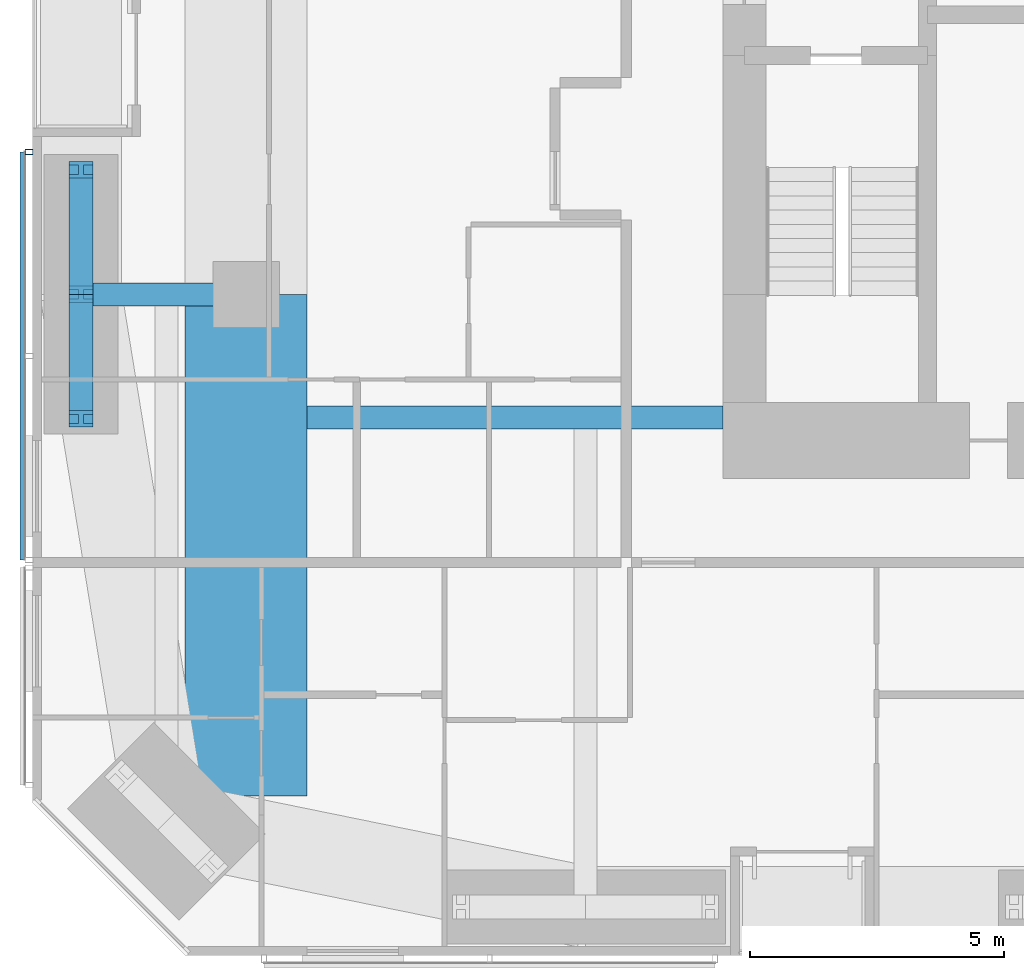
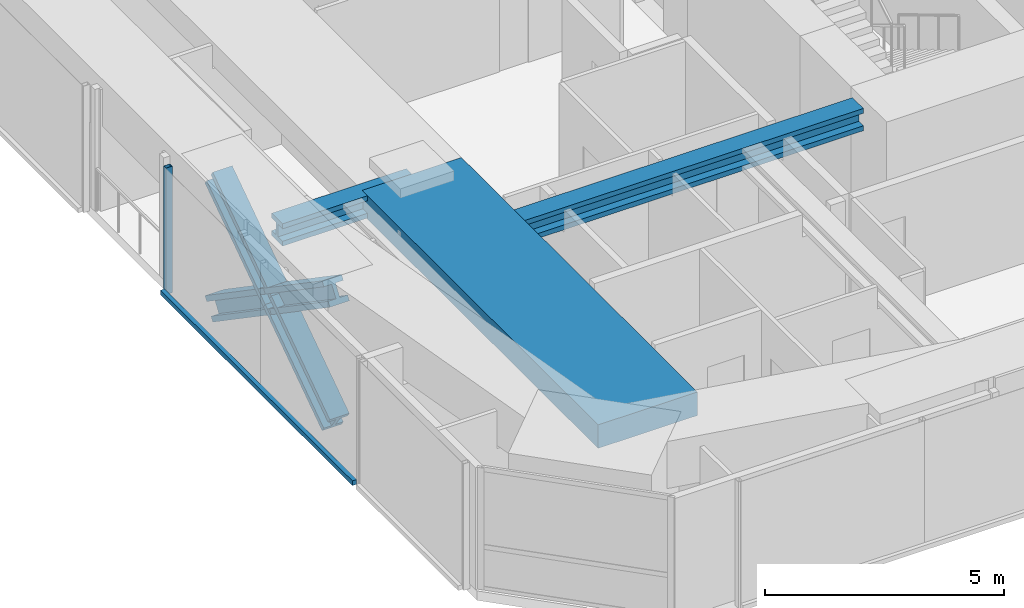
# One storey, part 3 of 23: 6 members, 3 beams, 1 element without a shape of its own.
"""IFC4 building model written with IfcOpenShell, lengths in metres."""

from ifc_helpers import new_model, si_unit, direction, frame, origin, origin_2d, place, context, subcontext, project, spatial, rectangle, hollow_rectangle, i_section, extrude, material, material_profile, profile_set, type_object, element, aggregate, save


model = new_model("IFC4")

# Units and contexts
model_context = context("Model", 3, precision=1e-05, world=origin(), true_north=direction((0.0, 1.0)))
body_context = subcontext(model_context, "Body", "Model", "MODEL_VIEW")
ifc_project = project(units=[si_unit("LENGTHUNIT", "METRE"), si_unit("AREAUNIT", "SQUARE_METRE"), si_unit("VOLUMEUNIT", "CUBIC_METRE"), si_unit("PLANEANGLEUNIT", "RADIAN"), si_unit("MASSUNIT", "GRAM", prefix="KILO")], contexts=[model_context])

# Site, building, storey
site_placement = place(None, origin())
site = spatial("IfcSite", under=ifc_project, at=site_placement, CompositionType="ELEMENT")
building_placement = place(site_placement, origin())
building = spatial("IfcBuilding", under=site, at=building_placement, Name="Jalousie Tower", CompositionType="ELEMENT")
storey_placement = place(building_placement, frame((0.0, 0.0, 108.199951171875)))
storey = spatial("IfcBuildingStorey", under=building, at=storey_placement, Name="L29", CompositionType="ELEMENT", Elevation=108.199951171875)

# Beams
ifc_material_1 = material(Name="Steel ASTM A992 Grade 50", Category="steel")
ifc_material_profile_1 = material_profile(ifc_material_1, i_section(OverallWidth=0.45458984375, OverallDepth=0.569091796875, WebThickness=0.077880859375, FlangeThickness=0.124755859375, at=origin_2d()), Name="W14X730")
ifc_profile_set_1 = profile_set([ifc_material_profile_1], Name="Steel ASTM A992 Grade 50")
beam_type_1 = type_object("IfcBeamType", Name="LEAN COLLECTOR W14X730", PredefinedType="BEAM", material=ifc_profile_set_1)
beam_1_placement = place(storey_placement, frame((6.949951171875, 13.0, 2.825439453125), z_axis=(1.0, 0.0, 0.0), x_axis=(0.0, 1.0, 0.0)))
element("IfcBeam", 1, at=beam_1_placement, inside=storey, type_object=beam_type_1, Name="Lean collector under L30", PredefinedType="BEAM", context=body_context, shape_type="SweptSolid", body=[
    extrude(i_section(OverallWidth=0.45458984375, OverallDepth=0.569091796875, WebThickness=0.077880859375, FlangeThickness=0.124755859375, at=origin_2d()), origin(), (0.0, 0.0, 1.0), 3.25),
])
beam_2_placement = place(storey_placement, frame((11.39990234375, 10.574951171875, 2.825439453125), z_axis=(1.0, 0.0, 0.0), x_axis=(0.0, 1.0, 0.0)))
element("IfcBeam", 2, at=beam_2_placement, inside=storey, type_object=beam_type_1, Name="Lean collector under L30", PredefinedType="BEAM", context=body_context, shape_type="SweptSolid", body=[
    extrude(i_section(OverallWidth=0.45458984375, OverallDepth=0.569091796875, WebThickness=0.077880859375, FlangeThickness=0.124755859375, at=origin_2d()), origin(), (0.0, 0.0, 1.0), 8.175048828125),
])

# Members
ifc_material_2 = material(Name="Steel ASTM A992 Grade 50", Category="steel")
ifc_material_profile_2 = material_profile(ifc_material_2, i_section(OverallWidth=0.472412109375, OverallDepth=0.5791015625, WebThickness=0.094970703125, FlangeThickness=0.1298828125, at=origin_2d()), Name="W14X808")
ifc_profile_set_2 = profile_set([ifc_material_profile_2], Name="Steel ASTM A992 Grade 50")
member_type_1 = type_object("IfcMemberType", Name="PERIMETER BRACE W14X808", PredefinedType="BRACE", material=ifc_profile_set_2)
for number, where, z_axis, x_axis, name in (
    (3, (6.949951171875, 10.550048828125, -0.599853515625), (0.0, 0.825539243753, 0.564344714713), (-1.0, 0.0, 0.0), "Perimeter brace 14 L29 part 1"),
    (4, (6.949951171875, 13.0, 1.074951171875), (0.0, 0.825500916831, 0.564400776321), (-1.0, 0.0, 0.0), "Perimeter brace 14 L29 part 2"),
    (5, (6.949951171875, 15.449951171875, -0.599853515625), (0.0, -0.825539243753, 0.564344714713), (1.0, 0.0, 0.0), "Perimeter brace 14 L29 part 3"),
    (6, (6.949951171875, 13.0, 1.074951171875), (0.0, -0.825500916831, 0.564400776321), (1.0, 0.0, 0.0), "Perimeter brace 14 L29 part 4"),
):
    element("IfcMember", number, at=place(storey_placement, frame(where, z_axis=z_axis, x_axis=x_axis)), inside=storey, type_object=member_type_1, Name=name, PredefinedType="BRACE", context=body_context, shape_type="SweptSolid", body=[
        extrude(i_section(OverallWidth=0.472412109375, OverallDepth=0.5791015625, WebThickness=0.094970703125, FlangeThickness=0.1298828125, at=origin_2d()), origin(), (0.0, 0.0, 1.0), 2.9677734375),
    ])

# Beam
ifc_material_3 = material(Name="Concrete f'c 40 MPa", Category="concrete")
ifc_material_profile_3 = material_profile(ifc_material_3, rectangle(XDim=2.39990234375, YDim=0.60009765625, at=origin_2d()), Name="RC 2400x600")
ifc_profile_set_3 = profile_set([ifc_material_profile_3], Name="Concrete f'c 40 MPa")
beam_type_2 = type_object("IfcBeamType", Name="RC BEAM 2400x600", PredefinedType="BEAM", material=ifc_profile_set_3)
beam_3_placement = place(storey_placement, frame((10.199951171875, 13.0, 2.81005859375), z_axis=(0.0, -1.0, 0.0), x_axis=(1.0, 0.0, 0.0)))
element("IfcBeam", 7, at=beam_3_placement, inside=storey, type_object=beam_type_2, Name="Floor band beam under L30", PredefinedType="BEAM", context=body_context, shape_type="SweptSolid", body=[
    extrude(rectangle(XDim=2.39990234375, YDim=0.60009765625, at=origin_2d()), origin(), (0.0, 0.0, 1.0), 9.8720703125),
])

# Curtain wall, members
ifc_material_4 = material(Name="Perforated aluminium sheet", Category="aluminium")
curtain_wall_type = type_object("IfcCurtainWallType", Name="SOLAR SCREEN SS-1", PredefinedType="USERDEFINED", material=ifc_material_4)
curtain_wall_placement = place(storey_placement, origin())
curtain_wall = element("IfcCurtainWall", 8, at=curtain_wall_placement, inside=storey, type_object=curtain_wall_type, Name="Solar screen L29", ObjectType="SOLAR SCREEN SS-1", PredefinedType="USERDEFINED")
ifc_material_5 = material(Name="Steel ASTM A500 Grade C", Category="steel")
ifc_material_profile_4 = material_profile(ifc_material_5, hollow_rectangle(XDim=0.1015625, YDim=0.15234375, WallThickness=0.00634765625, at=origin_2d()), Name="HSS6X4X1/4")
ifc_profile_set_4 = profile_set([ifc_material_profile_4], Name="Steel ASTM A500 Grade C")
member_type_2 = type_object("IfcMemberType", Name="SOLAR SCREEN SS-1 MULLION", PredefinedType="MULLION", material=ifc_profile_set_4)
member_1_placement = place(storey_placement, frame((5.9287109375, 15.800048828125, -0.119873046875), z_axis=(0.0, 0.0, 1.0), x_axis=(0.0, -1.0, 0.0)))
member_1 = element("IfcMember", 9, at=member_1_placement, type_object=member_type_2, Name="SS1 post 1", PredefinedType="MULLION", context=body_context, shape_type="SweptSolid", body=[
    extrude(hollow_rectangle(XDim=0.1015625, YDim=0.15234375, WallThickness=0.00634765625, at=origin_2d()), origin(), (0.0, 0.0, 1.0), 3.22998046875),
])
ifc_material_6 = material(Name="Extruded aluminium screen rail", Category="aluminium")
ifc_material_profile_5 = material_profile(ifc_material_6, rectangle(XDim=0.1015625, YDim=0.1201171875, at=origin_2d()), Name="RAIL 102x120")
ifc_profile_set_5 = profile_set([ifc_material_profile_5], Name="Extruded aluminium screen rail")
member_type_3 = type_object("IfcMemberType", Name="SOLAR SCREEN SS-1 TRANSOM", PredefinedType="USERDEFINED", material=ifc_profile_set_5)
member_2_placement = place(storey_placement, frame((5.8017578125, 15.800048828125, -0.06005859375), z_axis=(0.0, -1.0, 0.0), x_axis=(1.0, 0.0, 0.0)))
member_2 = element("IfcMember", 10, at=member_2_placement, type_object=member_type_3, Name="SS1 rail", ObjectType="TRANSOM", PredefinedType="USERDEFINED", context=body_context, shape_type="SweptSolid", body=[
    extrude(rectangle(XDim=0.1015625, YDim=0.1201171875, at=origin_2d()), origin(), (0.0, 0.0, 1.0), 8.025146484375),
])
aggregate(curtain_wall, [member_1, member_2])

save(model, "model.ifc")
